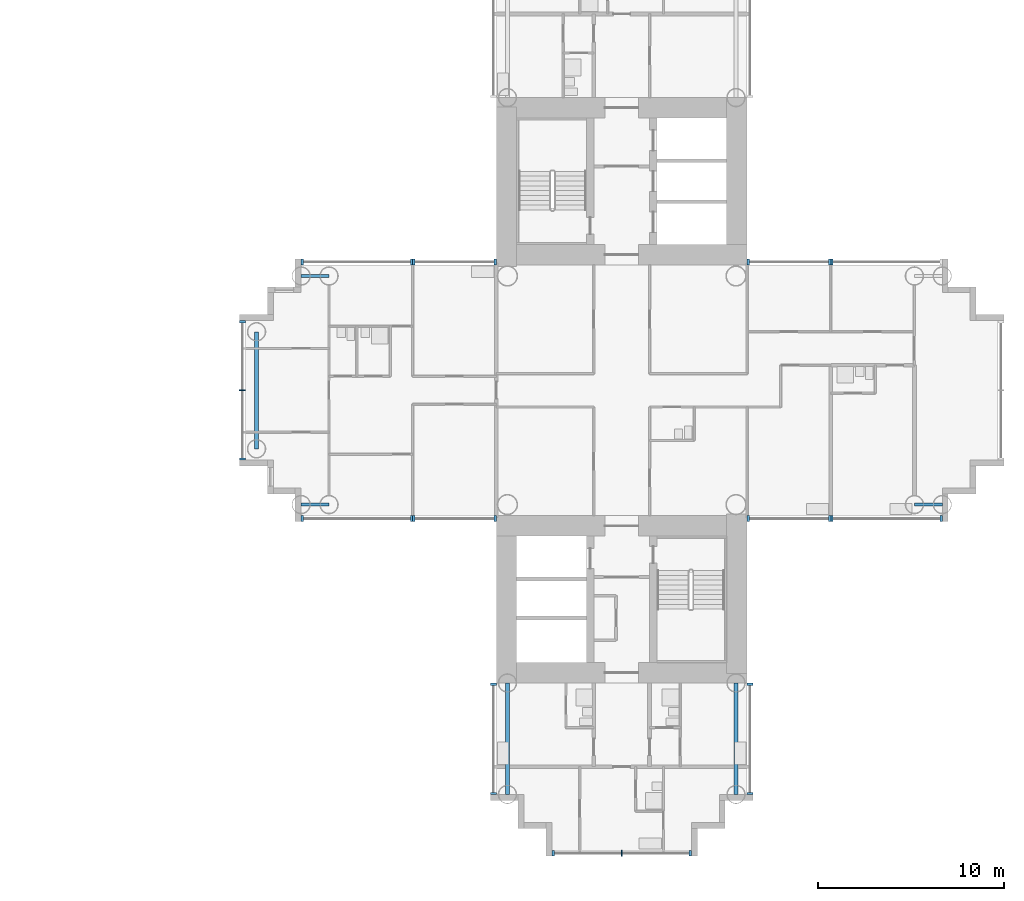
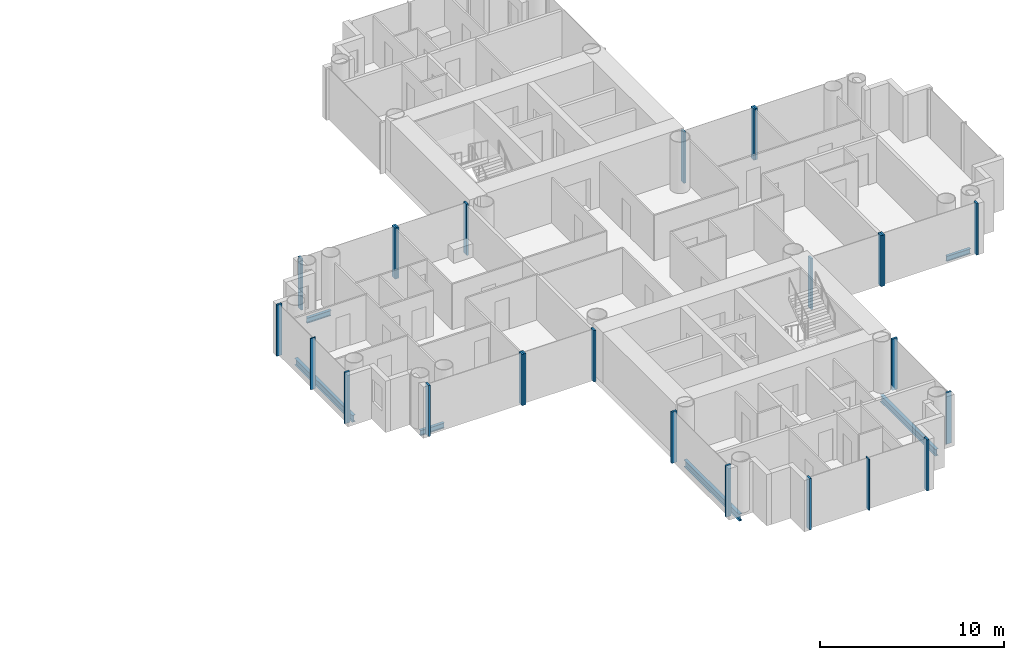
# One storey, part 5 of 22: 25 members, 6 beams, 12 elements without a shape of their own.
"""IFC4 building model written with IfcOpenShell, lengths in metres."""

import ifcopenshell
import ifcopenshell.guid

model = None  # the IFC model being written
_history = None  # IfcOwnerHistory: only IFC2X3 demands one
_inside = {}  # id of a spatial element -> (the spatial element, [elements in it])
_under = {}  # id of a project, library or spatial element -> (it, [spatial elements below it])
_declared = {}  # id of a project -> (the project, [libraries it declares])
_typed = {}  # id of a type object -> (the type object, [elements of that type])
_made_of = {}  # id of a material, layer set ... -> (it, [elements and type objects made of it])


def new_model(schema):
    """Start an empty IFC model of exactly this schema.

    Asked for "IFC4X3", IfcOpenShell would pick the latest addendum, in which some entities
    have other attributes; the version numbers below select the first issue.
    IFC2X3 requires an IfcOwnerHistory on every rooted entity: one is made here for all.
    """
    global model, _history
    if schema == "IFC4X3":
        model = ifcopenshell.file(schema_version=(4, 3, 0, 0))
    else:
        model = ifcopenshell.file(schema=schema)
    _inside.clear()
    _under.clear()
    _declared.clear()
    _typed.clear()
    _made_of.clear()
    _history = None
    if model.schema == "IFC2X3":
        org = make("IfcOrganization", Name="unknown")
        user = make(
            "IfcPersonAndOrganization",
            ThePerson=make("IfcPerson", FamilyName="unknown"),
            TheOrganization=org,
        )
        app = make(
            "IfcApplication",
            ApplicationDeveloper=org,
            Version="unknown",
            ApplicationFullName="unknown",
            ApplicationIdentifier="unknown",
        )
        _history = make(
            "IfcOwnerHistory",
            OwningUser=user,
            OwningApplication=app,
            ChangeAction="ADDED",
            CreationDate=0,
        )
    return model


def make(cls, **values):
    """One entity of the class cls with the attributes given. An attribute that is None is left unset."""
    return model.create_entity(
        cls, **{name: value for name, value in values.items() if value is not None}
    )


def rooted(cls, **values):
    """An entity with a GlobalId (a new one), such as an element, a storey or a relation."""
    return make(cls, GlobalId=ifcopenshell.guid.new(), OwnerHistory=_history, **values)


def si_unit(unit_type, name, prefix=None):
    """IfcSIUnit, for example si_unit("LENGTHUNIT", "METRE", prefix="MILLI")."""
    return make("IfcSIUnit", UnitType=unit_type, Prefix=prefix, Name=name)


def assignment(units):
    """IfcUnitAssignment: the units of a project."""
    return None if units is None else make("IfcUnitAssignment", Units=units)


def point(xyz):
    """IfcCartesianPoint."""
    return None if xyz is None else make("IfcCartesianPoint", Coordinates=xyz)


def direction(xyz):
    """IfcDirection."""
    return None if xyz is None else make("IfcDirection", DirectionRatios=xyz)


def frame(location, z_axis=None, x_axis=None):
    """IfcAxis2Placement3D, a coordinate frame: its origin and axes. An axis left out is left unset."""
    return make(
        "IfcAxis2Placement3D",
        Location=point(location),
        Axis=direction(z_axis),
        RefDirection=direction(x_axis),
    )


def frame_2d(location, x_axis=None):
    """IfcAxis2Placement2D, a coordinate frame in the plane: its origin and x axis."""
    return make(
        "IfcAxis2Placement2D", Location=point(location), RefDirection=direction(x_axis)
    )


def origin():
    """The frame at (0, 0, 0) with its axes left unset."""
    return frame((0.0, 0.0, 0.0))


def origin_2d():
    """The frame at (0, 0) in the plane with its x axis left unset."""
    return frame_2d((0.0, 0.0))


def place(relative_to, where):
    """IfcLocalPlacement: puts the frame where relative to a parent placement (None: the world)."""
    return make(
        "IfcLocalPlacement", PlacementRelTo=relative_to, RelativePlacement=where
    )


def context(
    kind, dimensions, precision=None, world=None, true_north=None, identifier=None
):
    """IfcGeometricRepresentationContext, for example the 3D "Model" context."""
    return make(
        "IfcGeometricRepresentationContext",
        ContextIdentifier=identifier,
        ContextType=kind,
        CoordinateSpaceDimension=dimensions,
        Precision=precision,
        WorldCoordinateSystem=world,
        TrueNorth=true_north,
    )


def subcontext(parent, identifier, kind, view, scale=None):
    """IfcGeometricRepresentationSubContext, for example "Body" below "Model"."""
    return make(
        "IfcGeometricRepresentationSubContext",
        ContextIdentifier=identifier,
        ContextType=kind,
        ParentContext=parent,
        TargetScale=scale,
        TargetView=view,
    )


def project(units=None, contexts=None):
    """IfcProject with its units and contexts."""
    return rooted(
        "IfcProject",
        Name="project",
        RepresentationContexts=contexts,
        UnitsInContext=assignment(units),
    )


def spatial(cls, under=None, at=None, **own):
    """A site, building, storey or space (cls), placed at a placement, below another one or the project."""
    s = rooted(cls, ObjectPlacement=at, **own)
    if under is not None:
        _under.setdefault(under.id(), (under, []))[1].append(s)
    return s


def profile(cls, at=None, kind="AREA", **sizes):
    """A parametric profile (cls). Its sizes go by their IFC names, for example OverallWidth=200.0."""
    return make(cls, ProfileType=kind, Position=at, **sizes)


def rectangle(**sizes):
    """IfcRectangleProfileDef."""
    return profile("IfcRectangleProfileDef", **sizes)


def i_section(**sizes):
    """IfcIShapeProfileDef."""
    return profile("IfcIShapeProfileDef", **sizes)


def extrude(swept, where, along, depth):
    """IfcExtrudedAreaSolid: the profile swept, set in the frame where, extruded along a direction by depth."""
    return make(
        "IfcExtrudedAreaSolid",
        SweptArea=swept,
        Position=where,
        ExtrudedDirection=direction(along),
        Depth=depth,
    )


def shape(context_of_items, identifier, shape_type, items):
    """IfcShapeRepresentation: the items that make up one representation, for example the "Body"."""
    return make(
        "IfcShapeRepresentation",
        ContextOfItems=context_of_items,
        RepresentationIdentifier=identifier,
        RepresentationType=shape_type,
        Items=items,
    )


def material(Name=None, Category=None):
    """IfcMaterial."""
    return make("IfcMaterial", Name=Name, Category=Category)


def layer(
    of_material, thickness, ventilated=None, Name=None, Category=None, Priority=None
):
    """IfcMaterialLayer: one layer of a wall or slab, of a material (None: an air gap)."""
    return make(
        "IfcMaterialLayer",
        Material=of_material,
        LayerThickness=thickness,
        IsVentilated=ventilated,
        Name=Name,
        Category=Category,
        Priority=Priority,
    )


def layer_set(layers, Name=None):
    """IfcMaterialLayerSet."""
    return make("IfcMaterialLayerSet", MaterialLayers=layers, LayerSetName=Name)


def material_profile(
    of_material, cross_section, Name=None, Category=None, Priority=None
):
    """IfcMaterialProfile: a cross section and its material."""
    return make(
        "IfcMaterialProfile",
        Name=Name,
        Material=of_material,
        Profile=cross_section,
        Priority=Priority,
        Category=Category,
    )


def profile_set(profiles, Name=None, composite=None):
    """IfcMaterialProfileSet."""
    return make(
        "IfcMaterialProfileSet",
        Name=Name,
        MaterialProfiles=profiles,
        CompositeProfile=composite,
    )


def made_of(thing, what):
    """Note that an element or type object is made of a material, layer set ...; save() writes the relation."""
    if what is not None:
        _made_of.setdefault(what.id(), (what, []))[1].append(thing)
    return thing


def type_object(cls, material=None, **own):
    """A type object (cls), such as IfcWallType, which elements share."""
    return made_of(rooted(cls, **own), material)


def element(
    cls,
    number,
    at=None,
    inside=None,
    cuts=None,
    type_object=None,
    material=None,
    context=None,
    identifier="Body",
    shape_type=None,
    held_by="IfcProductDefinitionShape",
    body=None,
    shapes=None,
    **own,
):
    """One element of the class cls, such as IfcWall. Its Tag is "e" and its number.

    at: its placement. inside: the storey or other place that contains it. cuts: it is an
    opening in that element (IfcRelVoidsElement). A single representation is given by context,
    identifier, shape_type and body (its items); several are given by shapes. held_by: the class
    of the entity that holds the representations. save() writes the other relations.
    """
    e = rooted(cls, Tag="e%d" % number, ObjectPlacement=at, **own)
    if body is not None:
        shapes = [shape(context, identifier, shape_type, body)]
    if shapes is not None:
        e.Representation = make(held_by, Representations=shapes)
    if inside is not None:
        _inside.setdefault(inside.id(), (inside, []))[1].append(e)
    if cuts is not None:
        rooted(
            "IfcRelVoidsElement", RelatingBuildingElement=cuts, RelatedOpeningElement=e
        )
    if type_object is not None:
        _typed.setdefault(type_object.id(), (type_object, []))[1].append(e)
    return made_of(e, material)


def aggregate(whole, parts):
    """IfcRelAggregates: a whole, such as a stair, and the parts it consists of."""
    return rooted("IfcRelAggregates", RelatingObject=whole, RelatedObjects=parts)


def save(model, path):
    """Write the relations noted so far, then the file.

    IfcRelAggregates (storeys below a building ...), IfcRelContainedInSpatialStructure (elements
    in a storey), IfcRelDefinesByType, IfcRelAssociatesMaterial and IfcRelDeclares: one each for
    every whole, place, type object, material and project.
    """
    for whole, parts in _under.values():
        aggregate(whole, parts)
    for where, things in _inside.values():
        rooted(
            "IfcRelContainedInSpatialStructure",
            RelatedElements=things,
            RelatingStructure=where,
        )
    for kind, things in _typed.values():
        rooted("IfcRelDefinesByType", RelatedObjects=things, RelatingType=kind)
    for what, things in _made_of.values():
        rooted("IfcRelAssociatesMaterial", RelatedObjects=things, RelatingMaterial=what)
    for by, libraries in _declared.values():
        rooted("IfcRelDeclares", RelatingContext=by, RelatedDefinitions=libraries)
    model.write(path)


model = new_model("IFC4")

# Units and contexts
model_context = context("Model", 3, precision=1e-05, world=origin(), true_north=direction((0.0, 1.0)))
body_context = subcontext(model_context, "Body", "Model", "MODEL_VIEW")
ifc_project = project(units=[si_unit("LENGTHUNIT", "METRE"), si_unit("AREAUNIT", "SQUARE_METRE"), si_unit("VOLUMEUNIT", "CUBIC_METRE"), si_unit("PLANEANGLEUNIT", "RADIAN"), si_unit("MASSUNIT", "GRAM", prefix="KILO")], contexts=[model_context])

# Site, building, storey
site_placement = place(None, origin())
site = spatial("IfcSite", under=ifc_project, at=site_placement, CompositionType="ELEMENT")
building_placement = place(site_placement, origin())
building = spatial("IfcBuilding", under=site, at=building_placement, Name="Ipe Terrace Towers", CompositionType="ELEMENT")
storey_placement = place(building_placement, frame((0.0, 0.0, 55.10009765625)))
storey = spatial("IfcBuildingStorey", under=building, at=storey_placement, Name="L14", CompositionType="ELEMENT", Elevation=55.10009765625)

# Beams
ifc_material_1 = material(Name="Steel S355", Category="steel")
ifc_material_profile_1 = material_profile(ifc_material_1, i_section(OverallWidth=0.175048828125, OverallDepth=0.35009765625, WebThickness=0.007080078125, FlangeThickness=0.010986328125, at=origin_2d()), Name="H-350x175x7x11")
ifc_profile_set_1 = profile_set([ifc_material_profile_1], Name="Steel S355")
beam_type_1 = type_object("IfcBeamType", Name="H04 EDGE BEAM H-350x175x7x11", PredefinedType="BEAM", material=ifc_profile_set_1)
for number, where, z_axis, x_axis, name in (
    (1, (20.25, 6.14990234375, -0.5751953125), (-1.0, 0.0, 0.0), (0.0, -1.0, 0.0), "Edge beam T2-EB-B03-B05"),
    (2, (20.25, -6.14990234375, -0.5751953125), (-1.0, 0.0, 0.0), (0.0, -1.0, 0.0), "Edge beam T2-EB-B04-B06"),
    (3, (51.75, -6.14990234375, -0.5751953125), (1.0, 0.0, 0.0), (0.0, 1.0, 0.0), "Edge beam T2-EB-D03-D05"),
):
    element("IfcBeam", number, at=place(storey_placement, frame(where, z_axis=z_axis, x_axis=x_axis)), inside=storey, type_object=beam_type_1, Name=name, PredefinedType="BEAM", context=body_context, shape_type="SweptSolid", body=[
        extrude(i_section(OverallWidth=0.175048828125, OverallDepth=0.35009765625, WebThickness=0.007080078125, FlangeThickness=0.010986328125, at=origin_2d()), origin(), (0.0, 0.0, 1.0), 1.5),
    ])
ifc_material_2 = material(Name="Steel S355", Category="steel")
ifc_material_profile_2 = material_profile(ifc_material_2, i_section(OverallWidth=0.199951171875, OverallDepth=0.449951171875, WebThickness=0.009033203125, FlangeThickness=0.013916015625, at=origin_2d()), Name="H-450x200x9x14")
ifc_profile_set_2 = profile_set([ifc_material_profile_2], Name="Steel S355")
beam_type_2 = type_object("IfcBeamType", Name="H08 EDGE BEAM H-450x200x9x14", PredefinedType="BEAM", material=ifc_profile_set_2)
beam_placement = place(storey_placement, frame((16.35009765625, 3.14990234375, -0.625), z_axis=(0.0, -1.0, 0.0), x_axis=(1.0, 0.0, 0.0)))
element("IfcBeam", 4, at=beam_placement, inside=storey, type_object=beam_type_2, Name="Edge beam T2-EB-B07-B08", PredefinedType="BEAM", context=body_context, shape_type="SweptSolid", body=[
    extrude(i_section(OverallWidth=0.199951171875, OverallDepth=0.449951171875, WebThickness=0.009033203125, FlangeThickness=0.013916015625, at=origin_2d()), origin(), (0.0, 0.0, 1.0), 6.2998046875),
])
for number, where, z_axis, x_axis, name in (
    (5, (42.14990234375, -15.75, -0.625), (0.0, -1.0, 0.0), (1.0, 0.0, 0.0), "Edge beam T2-EB-C01-C03"),
    (6, (29.85009765625, -15.75, -0.625), (0.0, -1.0, 0.0), (1.0, 0.0, 0.0), "Edge beam T2-EB-C02-C04"),
):
    element("IfcBeam", number, at=place(storey_placement, frame(where, z_axis=z_axis, x_axis=x_axis)), inside=storey, type_object=beam_type_2, Name=name, PredefinedType="BEAM", context=body_context, shape_type="SweptSolid", body=[
        extrude(i_section(OverallWidth=0.199951171875, OverallDepth=0.449951171875, WebThickness=0.009033203125, FlangeThickness=0.013916015625, at=origin_2d()), origin(), (0.0, 0.0, 1.0), 6.0),
    ])

# Curtain wall, members
ifc_material_3 = material(Name="Aluminium alloy 6063-T6", Category="aluminium")
ifc_layer = layer(ifc_material_3, 0.320068359375)
ifc_layer_set = layer_set([ifc_layer], Name="TOWER UNITISED CURTAIN WALL")
curtain_wall_type = type_object("IfcCurtainWallType", Name="TOWER UNITISED CURTAIN WALL", PredefinedType="NOTDEFINED", material=ifc_layer_set)
curtain_wall_1_placement = place(storey_placement, origin())
curtain_wall_1 = element("IfcCurtainWall", 7, at=curtain_wall_1_placement, inside=storey, type_object=curtain_wall_type, Name="T2-CW-L14-04a curtain wall", PredefinedType="NOTDEFINED")
ifc_material_4 = material(Name="Aluminium alloy 6063-T6", Category="aluminium")
ifc_material_profile_3 = material_profile(ifc_material_4, rectangle(XDim=0.320068359375, YDim=0.1201171875, at=origin_2d()), Name="TOWER UNITISED CORNER MULLION 320 x 120")
ifc_profile_set_3 = profile_set([ifc_material_profile_3], Name="Aluminium alloy 6063-T6")
member_type_1 = type_object("IfcMemberType", Name="TOWER UNITISED CORNER MULLION 320 x 120", PredefinedType="MULLION", material=ifc_profile_set_3)
member_1_placement = place(storey_placement, frame((42.909912109375, -21.68994140625, -0.300048828125), z_axis=(0.0, 0.0, 1.0), x_axis=(1.0, 0.0, 0.0)))
member_1 = element("IfcMember", 8, at=member_1_placement, type_object=member_type_1, Name="T2-CW-L14-04a mullion 1", PredefinedType="MULLION", context=body_context, shape_type="SweptSolid", body=[
    extrude(rectangle(XDim=0.320068359375, YDim=0.1201171875, at=origin_2d()), origin(), (0.0, 0.0, 1.0), 3.39990234375),
])
member_2_placement = place(storey_placement, frame((42.909912109375, -15.81103515625, -0.300048828125), z_axis=(0.0, 0.0, 1.0), x_axis=(1.0, 0.0, 0.0)))
member_2 = element("IfcMember", 9, at=member_2_placement, type_object=member_type_1, Name="T2-CW-L14-04a mullion 2", PredefinedType="MULLION", context=body_context, shape_type="SweptSolid", body=[
    extrude(rectangle(XDim=0.320068359375, YDim=0.1201171875, at=origin_2d()), origin(), (0.0, 0.0, 1.0), 3.39990234375),
])
aggregate(curtain_wall_1, [member_1, member_2])

curtain_wall_2_placement = place(storey_placement, origin())
curtain_wall_2 = element("IfcCurtainWall", 10, at=curtain_wall_2_placement, inside=storey, type_object=curtain_wall_type, Name="T2-CW-L14-06a curtain wall", PredefinedType="NOTDEFINED")
member_3_placement = place(storey_placement, frame((42.81005859375, -6.909912109375, -0.300048828125), z_axis=(0.0, 0.0, 1.0), x_axis=(0.0, -1.0, 0.0)))
member_3 = element("IfcMember", 11, at=member_3_placement, type_object=member_type_1, Name="T2-CW-L14-06a mullion 1", PredefinedType="MULLION", context=body_context, shape_type="SweptSolid", body=[
    extrude(rectangle(XDim=0.320068359375, YDim=0.1201171875, at=origin_2d()), origin(), (0.0, 0.0, 1.0), 3.39990234375),
])
member_4_placement = place(storey_placement, frame((47.18994140625, -6.909912109375, -0.300048828125), z_axis=(0.0, 0.0, 1.0), x_axis=(0.0, -1.0, 0.0)))
member_4 = element("IfcMember", 12, at=member_4_placement, type_object=member_type_1, Name="T2-CW-L14-06a mullion 2", PredefinedType="MULLION", context=body_context, shape_type="SweptSolid", body=[
    extrude(rectangle(XDim=0.320068359375, YDim=0.1201171875, at=origin_2d()), origin(), (0.0, 0.0, 1.0), 3.39990234375),
])
aggregate(curtain_wall_2, [member_3, member_4])

curtain_wall_3_placement = place(storey_placement, origin())
curtain_wall_3 = element("IfcCurtainWall", 13, at=curtain_wall_3_placement, inside=storey, type_object=curtain_wall_type, Name="T2-CW-L14-07a curtain wall", PredefinedType="NOTDEFINED")
member_5_placement = place(storey_placement, frame((47.31005859375, -6.909912109375, -0.300048828125), z_axis=(0.0, 0.0, 1.0), x_axis=(0.0, -1.0, 0.0)))
member_5 = element("IfcMember", 14, at=member_5_placement, type_object=member_type_1, Name="T2-CW-L14-07a mullion 1", PredefinedType="MULLION", context=body_context, shape_type="SweptSolid", body=[
    extrude(rectangle(XDim=0.320068359375, YDim=0.1201171875, at=origin_2d()), origin(), (0.0, 0.0, 1.0), 3.39990234375),
])
member_6_placement = place(storey_placement, frame((53.18994140625, -6.909912109375, -0.300048828125), z_axis=(0.0, 0.0, 1.0), x_axis=(0.0, -1.0, 0.0)))
member_6 = element("IfcMember", 15, at=member_6_placement, type_object=member_type_1, Name="T2-CW-L14-07a mullion 2", PredefinedType="MULLION", context=body_context, shape_type="SweptSolid", body=[
    extrude(rectangle(XDim=0.320068359375, YDim=0.1201171875, at=origin_2d()), origin(), (0.0, 0.0, 1.0), 3.39990234375),
])
aggregate(curtain_wall_3, [member_5, member_6])

# Curtain wall, member
curtain_wall_4_placement = place(storey_placement, origin())
curtain_wall_4 = element("IfcCurtainWall", 16, at=curtain_wall_4_placement, inside=storey, type_object=curtain_wall_type, Name="T2-CW-L14-17a curtain wall", PredefinedType="NOTDEFINED")
member_7_placement = place(storey_placement, frame((47.31005859375, 6.909912109375, -0.300048828125), z_axis=(0.0, 0.0, 1.0), x_axis=(0.0, 1.0, 0.0)))
member_7 = element("IfcMember", 17, at=member_7_placement, type_object=member_type_1, Name="T2-CW-L14-17a mullion 2", PredefinedType="MULLION", context=body_context, shape_type="SweptSolid", body=[
    extrude(rectangle(XDim=0.320068359375, YDim=0.1201171875, at=origin_2d()), origin(), (0.0, 0.0, 1.0), 3.39990234375),
])
aggregate(curtain_wall_4, [member_7])

# Curtain wall, members
curtain_wall_5_placement = place(storey_placement, origin())
curtain_wall_5 = element("IfcCurtainWall", 18, at=curtain_wall_5_placement, inside=storey, type_object=curtain_wall_type, Name="T2-CW-L14-18a curtain wall", PredefinedType="NOTDEFINED")
member_8_placement = place(storey_placement, frame((47.18994140625, 6.909912109375, -0.300048828125), z_axis=(0.0, 0.0, 1.0), x_axis=(0.0, 1.0, 0.0)))
member_8 = element("IfcMember", 19, at=member_8_placement, type_object=member_type_1, Name="T2-CW-L14-18a mullion 1", PredefinedType="MULLION", context=body_context, shape_type="SweptSolid", body=[
    extrude(rectangle(XDim=0.320068359375, YDim=0.1201171875, at=origin_2d()), origin(), (0.0, 0.0, 1.0), 3.39990234375),
])
member_9_placement = place(storey_placement, frame((42.81005859375, 6.909912109375, -0.300048828125), z_axis=(0.0, 0.0, 1.0), x_axis=(0.0, 1.0, 0.0)))
member_9 = element("IfcMember", 20, at=member_9_placement, type_object=member_type_1, Name="T2-CW-L14-18a mullion 2", PredefinedType="MULLION", context=body_context, shape_type="SweptSolid", body=[
    extrude(rectangle(XDim=0.320068359375, YDim=0.1201171875, at=origin_2d()), origin(), (0.0, 0.0, 1.0), 3.39990234375),
])
aggregate(curtain_wall_5, [member_8, member_9])

curtain_wall_6_placement = place(storey_placement, origin())
curtain_wall_6 = element("IfcCurtainWall", 21, at=curtain_wall_6_placement, inside=storey, type_object=curtain_wall_type, Name="T2-CW-L14-32a curtain wall", PredefinedType="NOTDEFINED")
member_10_placement = place(storey_placement, frame((29.18994140625, 6.909912109375, -0.300048828125), z_axis=(0.0, 0.0, 1.0), x_axis=(0.0, 1.0, 0.0)))
member_10 = element("IfcMember", 22, at=member_10_placement, type_object=member_type_1, Name="T2-CW-L14-32a mullion 1", PredefinedType="MULLION", context=body_context, shape_type="SweptSolid", body=[
    extrude(rectangle(XDim=0.320068359375, YDim=0.1201171875, at=origin_2d()), origin(), (0.0, 0.0, 1.0), 3.39990234375),
])
member_11_placement = place(storey_placement, frame((24.81005859375, 6.909912109375, -0.300048828125), z_axis=(0.0, 0.0, 1.0), x_axis=(0.0, 1.0, 0.0)))
member_11 = element("IfcMember", 23, at=member_11_placement, type_object=member_type_1, Name="T2-CW-L14-32a mullion 2", PredefinedType="MULLION", context=body_context, shape_type="SweptSolid", body=[
    extrude(rectangle(XDim=0.320068359375, YDim=0.1201171875, at=origin_2d()), origin(), (0.0, 0.0, 1.0), 3.39990234375),
])
aggregate(curtain_wall_6, [member_10, member_11])

curtain_wall_7_placement = place(storey_placement, origin())
curtain_wall_7 = element("IfcCurtainWall", 24, at=curtain_wall_7_placement, inside=storey, type_object=curtain_wall_type, Name="T2-CW-L14-33a curtain wall", PredefinedType="NOTDEFINED")
member_12_placement = place(storey_placement, frame((24.68994140625, 6.909912109375, -0.300048828125), z_axis=(0.0, 0.0, 1.0), x_axis=(0.0, 1.0, 0.0)))
member_12 = element("IfcMember", 25, at=member_12_placement, type_object=member_type_1, Name="T2-CW-L14-33a mullion 1", PredefinedType="MULLION", context=body_context, shape_type="SweptSolid", body=[
    extrude(rectangle(XDim=0.320068359375, YDim=0.1201171875, at=origin_2d()), origin(), (0.0, 0.0, 1.0), 3.39990234375),
])
member_13_placement = place(storey_placement, frame((18.81005859375, 6.909912109375, -0.300048828125), z_axis=(0.0, 0.0, 1.0), x_axis=(0.0, 1.0, 0.0)))
member_13 = element("IfcMember", 26, at=member_13_placement, type_object=member_type_1, Name="T2-CW-L14-33a mullion 2", PredefinedType="MULLION", context=body_context, shape_type="SweptSolid", body=[
    extrude(rectangle(XDim=0.320068359375, YDim=0.1201171875, at=origin_2d()), origin(), (0.0, 0.0, 1.0), 3.39990234375),
])
aggregate(curtain_wall_7, [member_12, member_13])

curtain_wall_8_placement = place(storey_placement, origin())
curtain_wall_8 = element("IfcCurtainWall", 27, at=curtain_wall_8_placement, inside=storey, type_object=curtain_wall_type, Name="T2-CW-L14-38a curtain wall", PredefinedType="NOTDEFINED")
member_14_placement = place(storey_placement, frame((15.590087890625, 3.68994140625, -0.300048828125), z_axis=(0.0, 0.0, 1.0), x_axis=(-1.0, 0.0, 0.0)))
member_14 = element("IfcMember", 28, at=member_14_placement, type_object=member_type_1, Name="T2-CW-L14-38a mullion 1", PredefinedType="MULLION", context=body_context, shape_type="SweptSolid", body=[
    extrude(rectangle(XDim=0.320068359375, YDim=0.1201171875, at=origin_2d()), origin(), (0.0, 0.0, 1.0), 3.39990234375),
])
member_15_placement = place(storey_placement, frame((15.590087890625, -3.68994140625, -0.300048828125), z_axis=(0.0, 0.0, 1.0), x_axis=(-1.0, 0.0, 0.0)))
member_15 = element("IfcMember", 29, at=member_15_placement, type_object=member_type_1, Name="T2-CW-L14-38a mullion 3", PredefinedType="MULLION", context=body_context, shape_type="SweptSolid", body=[
    extrude(rectangle(XDim=0.320068359375, YDim=0.1201171875, at=origin_2d()), origin(), (0.0, 0.0, 1.0), 3.39990234375),
])

curtain_wall_9_placement = place(storey_placement, origin())
curtain_wall_9 = element("IfcCurtainWall", 30, at=curtain_wall_9_placement, inside=storey, type_object=curtain_wall_type, Name="T2-CW-L14-43a curtain wall", PredefinedType="NOTDEFINED")
member_16_placement = place(storey_placement, frame((18.81005859375, -6.909912109375, -0.300048828125), z_axis=(0.0, 0.0, 1.0), x_axis=(0.0, -1.0, 0.0)))
member_16 = element("IfcMember", 31, at=member_16_placement, type_object=member_type_1, Name="T2-CW-L14-43a mullion 1", PredefinedType="MULLION", context=body_context, shape_type="SweptSolid", body=[
    extrude(rectangle(XDim=0.320068359375, YDim=0.1201171875, at=origin_2d()), origin(), (0.0, 0.0, 1.0), 3.39990234375),
])
member_17_placement = place(storey_placement, frame((24.68994140625, -6.909912109375, -0.300048828125), z_axis=(0.0, 0.0, 1.0), x_axis=(0.0, -1.0, 0.0)))
member_17 = element("IfcMember", 32, at=member_17_placement, type_object=member_type_1, Name="T2-CW-L14-43a mullion 2", PredefinedType="MULLION", context=body_context, shape_type="SweptSolid", body=[
    extrude(rectangle(XDim=0.320068359375, YDim=0.1201171875, at=origin_2d()), origin(), (0.0, 0.0, 1.0), 3.39990234375),
])
aggregate(curtain_wall_9, [member_16, member_17])

curtain_wall_10_placement = place(storey_placement, origin())
curtain_wall_10 = element("IfcCurtainWall", 33, at=curtain_wall_10_placement, inside=storey, type_object=curtain_wall_type, Name="T2-CW-L14-44a curtain wall", PredefinedType="NOTDEFINED")
member_18_placement = place(storey_placement, frame((24.81005859375, -6.909912109375, -0.300048828125), z_axis=(0.0, 0.0, 1.0), x_axis=(0.0, -1.0, 0.0)))
member_18 = element("IfcMember", 34, at=member_18_placement, type_object=member_type_1, Name="T2-CW-L14-44a mullion 1", PredefinedType="MULLION", context=body_context, shape_type="SweptSolid", body=[
    extrude(rectangle(XDim=0.320068359375, YDim=0.1201171875, at=origin_2d()), origin(), (0.0, 0.0, 1.0), 3.39990234375),
])
member_19_placement = place(storey_placement, frame((29.18994140625, -6.909912109375, -0.300048828125), z_axis=(0.0, 0.0, 1.0), x_axis=(0.0, -1.0, 0.0)))
member_19 = element("IfcMember", 35, at=member_19_placement, type_object=member_type_1, Name="T2-CW-L14-44a mullion 2", PredefinedType="MULLION", context=body_context, shape_type="SweptSolid", body=[
    extrude(rectangle(XDim=0.320068359375, YDim=0.1201171875, at=origin_2d()), origin(), (0.0, 0.0, 1.0), 3.39990234375),
])
aggregate(curtain_wall_10, [member_18, member_19])

curtain_wall_11_placement = place(storey_placement, origin())
curtain_wall_11 = element("IfcCurtainWall", 36, at=curtain_wall_11_placement, inside=storey, type_object=curtain_wall_type, Name="T2-CW-L14-46b curtain wall", PredefinedType="NOTDEFINED")
member_20_placement = place(storey_placement, frame((29.090087890625, -15.81103515625, -0.300048828125), z_axis=(0.0, 0.0, 1.0), x_axis=(-1.0, 0.0, 0.0)))
member_20 = element("IfcMember", 37, at=member_20_placement, type_object=member_type_1, Name="T2-CW-L14-46b mullion 1", PredefinedType="MULLION", context=body_context, shape_type="SweptSolid", body=[
    extrude(rectangle(XDim=0.320068359375, YDim=0.1201171875, at=origin_2d()), origin(), (0.0, 0.0, 1.0), 3.39990234375),
])
member_21_placement = place(storey_placement, frame((29.090087890625, -21.68994140625, -0.300048828125), z_axis=(0.0, 0.0, 1.0), x_axis=(-1.0, 0.0, 0.0)))
member_21 = element("IfcMember", 38, at=member_21_placement, type_object=member_type_1, Name="T2-CW-L14-46b mullion 2", PredefinedType="MULLION", context=body_context, shape_type="SweptSolid", body=[
    extrude(rectangle(XDim=0.320068359375, YDim=0.1201171875, at=origin_2d()), origin(), (0.0, 0.0, 1.0), 3.39990234375),
])
aggregate(curtain_wall_11, [member_20, member_21])

curtain_wall_12_placement = place(storey_placement, origin())
curtain_wall_12 = element("IfcCurtainWall", 39, at=curtain_wall_12_placement, inside=storey, type_object=curtain_wall_type, Name="T2-CW-L14-51a curtain wall", PredefinedType="NOTDEFINED")
member_22_placement = place(storey_placement, frame((32.31005859375, -24.909912109375, -0.300048828125), z_axis=(0.0, 0.0, 1.0), x_axis=(0.0, -1.0, 0.0)))
member_22 = element("IfcMember", 40, at=member_22_placement, type_object=member_type_1, Name="T2-CW-L14-51a mullion 1", PredefinedType="MULLION", context=body_context, shape_type="SweptSolid", body=[
    extrude(rectangle(XDim=0.320068359375, YDim=0.1201171875, at=origin_2d()), origin(), (0.0, 0.0, 1.0), 3.39990234375),
])
member_23_placement = place(storey_placement, frame((39.68994140625, -24.909912109375, -0.300048828125), z_axis=(0.0, 0.0, 1.0), x_axis=(0.0, -1.0, 0.0)))
member_23 = element("IfcMember", 41, at=member_23_placement, type_object=member_type_1, Name="T2-CW-L14-51a mullion 3", PredefinedType="MULLION", context=body_context, shape_type="SweptSolid", body=[
    extrude(rectangle(XDim=0.320068359375, YDim=0.1201171875, at=origin_2d()), origin(), (0.0, 0.0, 1.0), 3.39990234375),
])

# Member
ifc_material_5 = material(Name="Aluminium alloy 6063-T6", Category="aluminium")
ifc_material_profile_4 = material_profile(ifc_material_5, rectangle(XDim=0.320068359375, YDim=0.06494140625, at=origin_2d()), Name="TOWER UNITISED MULLION 320 x 65")
ifc_profile_set_4 = profile_set([ifc_material_profile_4], Name="Aluminium alloy 6063-T6")
member_type_2 = type_object("IfcMemberType", Name="TOWER UNITISED MULLION 320 x 65", PredefinedType="MULLION", material=ifc_profile_set_4)
member_24_placement = place(storey_placement, frame((15.590087890625, 0.0, -0.300048828125), z_axis=(0.0, 0.0, 1.0), x_axis=(-1.0, 0.0, 0.0)))
member_24 = element("IfcMember", 42, at=member_24_placement, type_object=member_type_2, Name="T2-CW-L14-38a mullion 2", PredefinedType="MULLION", context=body_context, shape_type="SweptSolid", body=[
    extrude(rectangle(XDim=0.320068359375, YDim=0.06494140625, at=origin_2d()), origin(), (0.0, 0.0, 1.0), 3.39990234375),
])

aggregate(curtain_wall_8, [member_14, member_24, member_15])

member_25_placement = place(storey_placement, frame((36.0, -24.909912109375, -0.300048828125), z_axis=(0.0, 0.0, 1.0), x_axis=(0.0, -1.0, 0.0)))
member_25 = element("IfcMember", 43, at=member_25_placement, type_object=member_type_2, Name="T2-CW-L14-51a mullion 2", PredefinedType="MULLION", context=body_context, shape_type="SweptSolid", body=[
    extrude(rectangle(XDim=0.320068359375, YDim=0.06494140625, at=origin_2d()), origin(), (0.0, 0.0, 1.0), 3.39990234375),
])

aggregate(curtain_wall_12, [member_22, member_25, member_23])

save(model, "model.ifc")
